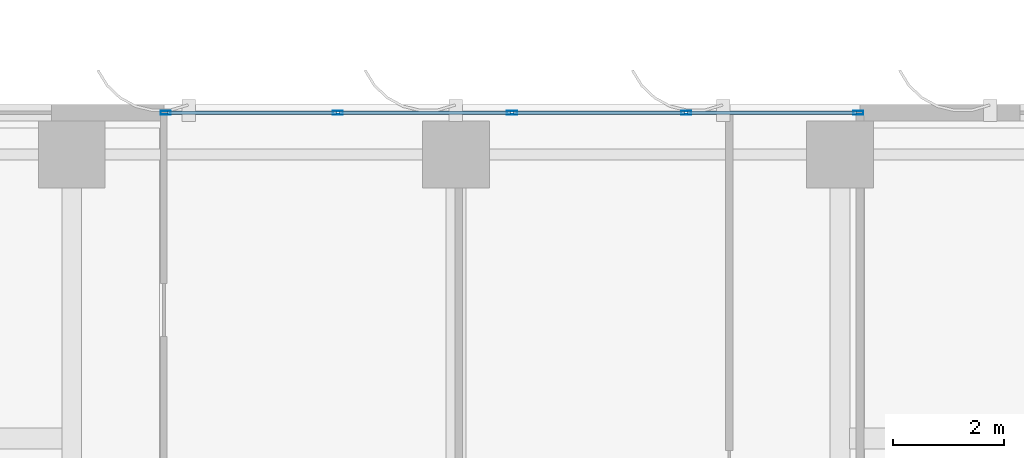
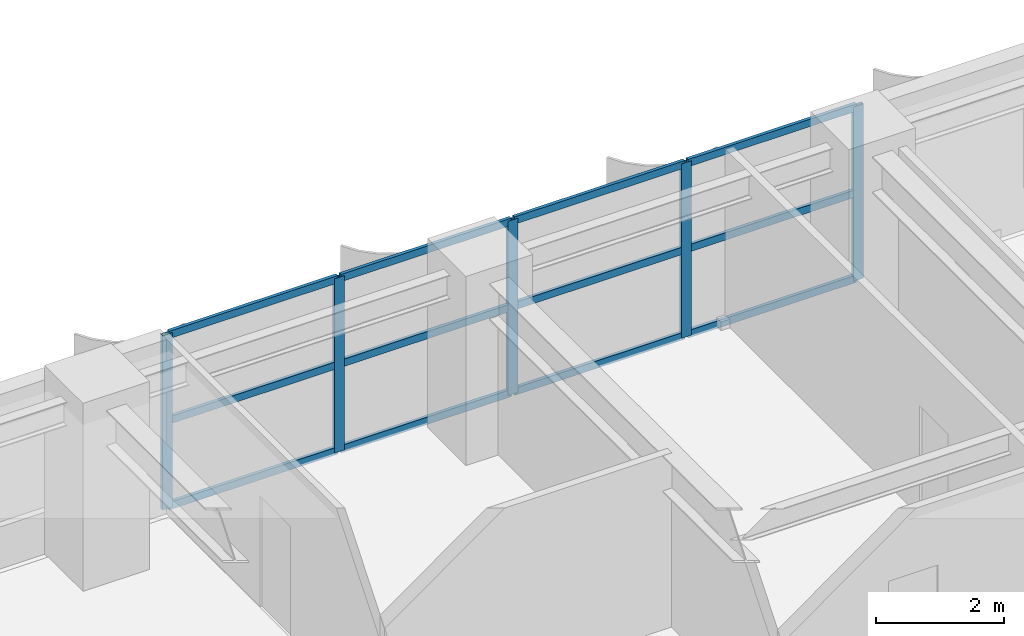
# One storey, part 11 of 23: 17 members, 1 element without a shape of its own.
"""IFC4 building model written with IfcOpenShell, lengths in metres."""

import ifcopenshell
import ifcopenshell.guid

model = None  # the IFC model being written
_history = None  # IfcOwnerHistory: only IFC2X3 demands one
_inside = {}  # id of a spatial element -> (the spatial element, [elements in it])
_under = {}  # id of a project, library or spatial element -> (it, [spatial elements below it])
_declared = {}  # id of a project -> (the project, [libraries it declares])
_typed = {}  # id of a type object -> (the type object, [elements of that type])
_made_of = {}  # id of a material, layer set ... -> (it, [elements and type objects made of it])


def new_model(schema):
    """Start an empty IFC model of exactly this schema.

    Asked for "IFC4X3", IfcOpenShell would pick the latest addendum, in which some entities
    have other attributes; the version numbers below select the first issue.
    IFC2X3 requires an IfcOwnerHistory on every rooted entity: one is made here for all.
    """
    global model, _history
    if schema == "IFC4X3":
        model = ifcopenshell.file(schema_version=(4, 3, 0, 0))
    else:
        model = ifcopenshell.file(schema=schema)
    _inside.clear()
    _under.clear()
    _declared.clear()
    _typed.clear()
    _made_of.clear()
    _history = None
    if model.schema == "IFC2X3":
        org = make("IfcOrganization", Name="unknown")
        user = make(
            "IfcPersonAndOrganization",
            ThePerson=make("IfcPerson", FamilyName="unknown"),
            TheOrganization=org,
        )
        app = make(
            "IfcApplication",
            ApplicationDeveloper=org,
            Version="unknown",
            ApplicationFullName="unknown",
            ApplicationIdentifier="unknown",
        )
        _history = make(
            "IfcOwnerHistory",
            OwningUser=user,
            OwningApplication=app,
            ChangeAction="ADDED",
            CreationDate=0,
        )
    return model


def make(cls, **values):
    """One entity of the class cls with the attributes given. An attribute that is None is left unset."""
    return model.create_entity(
        cls, **{name: value for name, value in values.items() if value is not None}
    )


def rooted(cls, **values):
    """An entity with a GlobalId (a new one), such as an element, a storey or a relation."""
    return make(cls, GlobalId=ifcopenshell.guid.new(), OwnerHistory=_history, **values)


def si_unit(unit_type, name, prefix=None):
    """IfcSIUnit, for example si_unit("LENGTHUNIT", "METRE", prefix="MILLI")."""
    return make("IfcSIUnit", UnitType=unit_type, Prefix=prefix, Name=name)


def assignment(units):
    """IfcUnitAssignment: the units of a project."""
    return None if units is None else make("IfcUnitAssignment", Units=units)


def point(xyz):
    """IfcCartesianPoint."""
    return None if xyz is None else make("IfcCartesianPoint", Coordinates=xyz)


def direction(xyz):
    """IfcDirection."""
    return None if xyz is None else make("IfcDirection", DirectionRatios=xyz)


def frame(location, z_axis=None, x_axis=None):
    """IfcAxis2Placement3D, a coordinate frame: its origin and axes. An axis left out is left unset."""
    return make(
        "IfcAxis2Placement3D",
        Location=point(location),
        Axis=direction(z_axis),
        RefDirection=direction(x_axis),
    )


def frame_2d(location, x_axis=None):
    """IfcAxis2Placement2D, a coordinate frame in the plane: its origin and x axis."""
    return make(
        "IfcAxis2Placement2D", Location=point(location), RefDirection=direction(x_axis)
    )


def origin():
    """The frame at (0, 0, 0) with its axes left unset."""
    return frame((0.0, 0.0, 0.0))


def origin_2d():
    """The frame at (0, 0) in the plane with its x axis left unset."""
    return frame_2d((0.0, 0.0))


def place(relative_to, where):
    """IfcLocalPlacement: puts the frame where relative to a parent placement (None: the world)."""
    return make(
        "IfcLocalPlacement", PlacementRelTo=relative_to, RelativePlacement=where
    )


def context(
    kind, dimensions, precision=None, world=None, true_north=None, identifier=None
):
    """IfcGeometricRepresentationContext, for example the 3D "Model" context."""
    return make(
        "IfcGeometricRepresentationContext",
        ContextIdentifier=identifier,
        ContextType=kind,
        CoordinateSpaceDimension=dimensions,
        Precision=precision,
        WorldCoordinateSystem=world,
        TrueNorth=true_north,
    )


def subcontext(parent, identifier, kind, view, scale=None):
    """IfcGeometricRepresentationSubContext, for example "Body" below "Model"."""
    return make(
        "IfcGeometricRepresentationSubContext",
        ContextIdentifier=identifier,
        ContextType=kind,
        ParentContext=parent,
        TargetScale=scale,
        TargetView=view,
    )


def project(units=None, contexts=None):
    """IfcProject with its units and contexts."""
    return rooted(
        "IfcProject",
        Name="project",
        RepresentationContexts=contexts,
        UnitsInContext=assignment(units),
    )


def spatial(cls, under=None, at=None, **own):
    """A site, building, storey or space (cls), placed at a placement, below another one or the project."""
    s = rooted(cls, ObjectPlacement=at, **own)
    if under is not None:
        _under.setdefault(under.id(), (under, []))[1].append(s)
    return s


def profile(cls, at=None, kind="AREA", **sizes):
    """A parametric profile (cls). Its sizes go by their IFC names, for example OverallWidth=200.0."""
    return make(cls, ProfileType=kind, Position=at, **sizes)


def hollow_rectangle(**sizes):
    """IfcRectangleHollowProfileDef."""
    return profile("IfcRectangleHollowProfileDef", **sizes)


def extrude(swept, where, along, depth):
    """IfcExtrudedAreaSolid: the profile swept, set in the frame where, extruded along a direction by depth."""
    return make(
        "IfcExtrudedAreaSolid",
        SweptArea=swept,
        Position=where,
        ExtrudedDirection=direction(along),
        Depth=depth,
    )


def shape(context_of_items, identifier, shape_type, items):
    """IfcShapeRepresentation: the items that make up one representation, for example the "Body"."""
    return make(
        "IfcShapeRepresentation",
        ContextOfItems=context_of_items,
        RepresentationIdentifier=identifier,
        RepresentationType=shape_type,
        Items=items,
    )


def source(mapping_origin, context_of_items, identifier, shape_type, items):
    """IfcRepresentationMap: a shape defined once, which mapped items show again and again."""
    return make(
        "IfcRepresentationMap",
        MappingOrigin=mapping_origin,
        MappedRepresentation=shape(context_of_items, identifier, shape_type, items),
    )


def transform(
    local_origin,
    x_axis=None,
    y_axis=None,
    z_axis=None,
    scale=None,
    scale2=None,
    scale3=None,
    uniform=True,
):
    """IfcCartesianTransformationOperator3D, or its non-uniform kind. x_axis, y_axis, z_axis: its Axis1, 2, 3."""
    if uniform:
        return make(
            "IfcCartesianTransformationOperator3D",
            Axis1=direction(x_axis),
            Axis2=direction(y_axis),
            LocalOrigin=point(local_origin),
            Scale=scale,
            Axis3=direction(z_axis),
        )
    return make(
        "IfcCartesianTransformationOperator3DnonUniform",
        Axis1=direction(x_axis),
        Axis2=direction(y_axis),
        LocalOrigin=point(local_origin),
        Scale=scale,
        Axis3=direction(z_axis),
        Scale2=scale2,
        Scale3=scale3,
    )


def mapped(mapping_source, mapping_target):
    """IfcMappedItem: shows the shape of a source again, moved by a transform."""
    return make(
        "IfcMappedItem", MappingSource=mapping_source, MappingTarget=mapping_target
    )


def material(Name=None, Category=None):
    """IfcMaterial."""
    return make("IfcMaterial", Name=Name, Category=Category)


def layer(
    of_material, thickness, ventilated=None, Name=None, Category=None, Priority=None
):
    """IfcMaterialLayer: one layer of a wall or slab, of a material (None: an air gap)."""
    return make(
        "IfcMaterialLayer",
        Material=of_material,
        LayerThickness=thickness,
        IsVentilated=ventilated,
        Name=Name,
        Category=Category,
        Priority=Priority,
    )


def layer_set(layers, Name=None):
    """IfcMaterialLayerSet."""
    return make("IfcMaterialLayerSet", MaterialLayers=layers, LayerSetName=Name)


def material_profile(
    of_material, cross_section, Name=None, Category=None, Priority=None
):
    """IfcMaterialProfile: a cross section and its material."""
    return make(
        "IfcMaterialProfile",
        Name=Name,
        Material=of_material,
        Profile=cross_section,
        Priority=Priority,
        Category=Category,
    )


def profile_set(profiles, Name=None, composite=None):
    """IfcMaterialProfileSet."""
    return make(
        "IfcMaterialProfileSet",
        Name=Name,
        MaterialProfiles=profiles,
        CompositeProfile=composite,
    )


def made_of(thing, what):
    """Note that an element or type object is made of a material, layer set ...; save() writes the relation."""
    if what is not None:
        _made_of.setdefault(what.id(), (what, []))[1].append(thing)
    return thing


def type_object(cls, material=None, **own):
    """A type object (cls), such as IfcWallType, which elements share."""
    return made_of(rooted(cls, **own), material)


def element(
    cls,
    number,
    at=None,
    inside=None,
    cuts=None,
    type_object=None,
    material=None,
    context=None,
    identifier="Body",
    shape_type=None,
    held_by="IfcProductDefinitionShape",
    body=None,
    shapes=None,
    **own,
):
    """One element of the class cls, such as IfcWall. Its Tag is "e" and its number.

    at: its placement. inside: the storey or other place that contains it. cuts: it is an
    opening in that element (IfcRelVoidsElement). A single representation is given by context,
    identifier, shape_type and body (its items); several are given by shapes. held_by: the class
    of the entity that holds the representations. save() writes the other relations.
    """
    e = rooted(cls, Tag="e%d" % number, ObjectPlacement=at, **own)
    if body is not None:
        shapes = [shape(context, identifier, shape_type, body)]
    if shapes is not None:
        e.Representation = make(held_by, Representations=shapes)
    if inside is not None:
        _inside.setdefault(inside.id(), (inside, []))[1].append(e)
    if cuts is not None:
        rooted(
            "IfcRelVoidsElement", RelatingBuildingElement=cuts, RelatedOpeningElement=e
        )
    if type_object is not None:
        _typed.setdefault(type_object.id(), (type_object, []))[1].append(e)
    return made_of(e, material)


def aggregate(whole, parts):
    """IfcRelAggregates: a whole, such as a stair, and the parts it consists of."""
    return rooted("IfcRelAggregates", RelatingObject=whole, RelatedObjects=parts)


def save(model, path):
    """Write the relations noted so far, then the file.

    IfcRelAggregates (storeys below a building ...), IfcRelContainedInSpatialStructure (elements
    in a storey), IfcRelDefinesByType, IfcRelAssociatesMaterial and IfcRelDeclares: one each for
    every whole, place, type object, material and project.
    """
    for whole, parts in _under.values():
        aggregate(whole, parts)
    for where, things in _inside.values():
        rooted(
            "IfcRelContainedInSpatialStructure",
            RelatedElements=things,
            RelatingStructure=where,
        )
    for kind, things in _typed.values():
        rooted("IfcRelDefinesByType", RelatedObjects=things, RelatingType=kind)
    for what, things in _made_of.values():
        rooted("IfcRelAssociatesMaterial", RelatedObjects=things, RelatingMaterial=what)
    for by, libraries in _declared.values():
        rooted("IfcRelDeclares", RelatingContext=by, RelatedDefinitions=libraries)
    model.write(path)


model = new_model("IFC4")

# Units and contexts
model_context = context("Model", 3, precision=1e-05, world=origin(), true_north=direction((0.0, 1.0)))
body_context = subcontext(model_context, "Body", "Model", "MODEL_VIEW")
ifc_project = project(units=[si_unit("LENGTHUNIT", "METRE"), si_unit("AREAUNIT", "SQUARE_METRE"), si_unit("VOLUMEUNIT", "CUBIC_METRE"), si_unit("PLANEANGLEUNIT", "RADIAN"), si_unit("MASSUNIT", "GRAM", prefix="KILO")], contexts=[model_context])

# Site, building, storey
site_placement = place(None, origin())
site = spatial("IfcSite", under=ifc_project, at=site_placement, CompositionType="ELEMENT")
building_placement = place(site_placement, origin())
building = spatial("IfcBuilding", under=site, at=building_placement, Name="Khoralis Quay Care Tower", CompositionType="ELEMENT")
storey_placement = place(building_placement, frame((0.0, 0.0, 33.300048828125)))
storey = spatial("IfcBuildingStorey", under=building, at=storey_placement, Name="L08", CompositionType="ELEMENT", Elevation=33.300048828125)

# Curtain wall, members
ifc_material = material(Name="Pale anodised aluminium", Category="aluminium")
ifc_layer = layer(ifc_material, 0.179931640625)
ifc_layer_set = layer_set([ifc_layer], Name="Pale anodised aluminium")
curtain_wall_type = type_object("IfcCurtainWallType", Name="CW-SYS-Z1", PredefinedType="NOTDEFINED", material=ifc_layer_set)
curtain_wall_placement = place(storey_placement, origin())
curtain_wall = element("IfcCurtainWall", 1, at=curtain_wall_placement, inside=storey, type_object=curtain_wall_type, Name="L08 Unitised Curtain Wall CW-L08-P1-E10", PredefinedType="NOTDEFINED")
ifc_material_profile_1 = material_profile(ifc_material, hollow_rectangle(XDim=0.06494140625, YDim=0.179931640625, WallThickness=0.00390625, at=origin_2d()), Name="Pale anodised aluminium")
ifc_profile_set_1 = profile_set([ifc_material_profile_1], Name="Pale anodised aluminium")
member_type_1 = type_object("IfcMemberType", Name="CW-MUL-180", PredefinedType="MULLION", material=ifc_profile_set_1)
shared_shape_1 = source(origin(), body_context, "Body", "SweptSolid", [
    extrude(hollow_rectangle(XDim=0.06494140625, YDim=0.179931640625, WallThickness=0.00390625, at=origin_2d()), origin(), (0.0, 0.0, 1.0), 3.320068359375),
])
member_1_placement = place(storey_placement, frame((31.22998046875, 47.85009765625, 0.0), z_axis=(0.0, 0.0, 1.0), x_axis=(0.0, -1.0, 0.0)))
member_1 = element("IfcMember", 2, at=member_1_placement, type_object=member_type_1, Name="CW1 mullion 1", PredefinedType="MULLION", context=body_context, shape_type="MappedRepresentation", body=[
    mapped(shared_shape_1, transform((0.0, 0.0, 0.0), scale=1.0)),
])
member_2_placement = place(storey_placement, frame((28.134033203125, 47.85009765625, 0.0), z_axis=(0.0, 0.0, 1.0), x_axis=(0.0, -1.0, 0.0)))
member_2 = element("IfcMember", 3, at=member_2_placement, type_object=member_type_1, Name="CW1 mullion 2", PredefinedType="MULLION", context=body_context, shape_type="MappedRepresentation", body=[
    mapped(shared_shape_1, transform((0.0, 0.0, 0.0), scale=1.0)),
])
member_3_placement = place(storey_placement, frame((25.008056640625, 47.85009765625, 0.0), z_axis=(0.0, 0.0, 1.0), x_axis=(0.0, -1.0, 0.0)))
member_3 = element("IfcMember", 4, at=member_3_placement, type_object=member_type_1, Name="CW1 mullion 3", PredefinedType="MULLION", context=body_context, shape_type="MappedRepresentation", body=[
    mapped(shared_shape_1, transform((0.0, 0.0, 0.0), scale=1.0)),
])
member_4_placement = place(storey_placement, frame((21.882080078125, 47.85009765625, 0.0), z_axis=(0.0, 0.0, 1.0), x_axis=(0.0, -1.0, 0.0)))
member_4 = element("IfcMember", 5, at=member_4_placement, type_object=member_type_1, Name="CW1 mullion 4", PredefinedType="MULLION", context=body_context, shape_type="MappedRepresentation", body=[
    mapped(shared_shape_1, transform((0.0, 0.0, 0.0), scale=1.0)),
])
member_5_placement = place(storey_placement, frame((18.785888671875, 47.85009765625, 0.0), z_axis=(0.0, 0.0, 1.0), x_axis=(0.0, -1.0, 0.0)))
member_5 = element("IfcMember", 6, at=member_5_placement, type_object=member_type_1, Name="CW1 mullion 5", PredefinedType="MULLION", context=body_context, shape_type="MappedRepresentation", body=[
    mapped(shared_shape_1, transform((0.0, 0.0, 0.0), scale=1.0)),
])
ifc_material_profile_2 = material_profile(ifc_material, hollow_rectangle(XDim=0.06005859375, YDim=0.139892578125, WallThickness=0.00390625, at=origin_2d()), Name="Pale anodised aluminium")
ifc_profile_set_2 = profile_set([ifc_material_profile_2], Name="Pale anodised aluminium")
member_type_2 = type_object("IfcMemberType", Name="CW-TRN-140", PredefinedType="USERDEFINED", material=ifc_profile_set_2)
shared_shape_2 = source(origin(), body_context, "Body", "SweptSolid", [
    extrude(hollow_rectangle(XDim=0.06005859375, YDim=0.139892578125, WallThickness=0.00390625, at=origin_2d()), origin(), (0.0, 0.0, 1.0), 3.035888671875),
])
member_6_placement = place(storey_placement, frame((31.199951171875, 47.85009765625, 0.030029296875), z_axis=(-1.0, 0.0, 0.0), x_axis=(0.0, -1.0, 0.0)))
member_6 = element("IfcMember", 7, at=member_6_placement, type_object=member_type_2, Name="CW1 transom 1.1", ObjectType="TRANSOM", PredefinedType="USERDEFINED", context=body_context, shape_type="MappedRepresentation", body=[
    mapped(shared_shape_2, transform((0.0, 0.0, 0.0), scale=1.0)),
])
member_7_placement = place(storey_placement, frame((31.199951171875, 47.85009765625, 1.659912109375), z_axis=(-1.0, 0.0, 0.0), x_axis=(0.0, -1.0, 0.0)))
member_7 = element("IfcMember", 8, at=member_7_placement, type_object=member_type_2, Name="CW1 transom 1.2", ObjectType="TRANSOM", PredefinedType="USERDEFINED", context=body_context, shape_type="MappedRepresentation", body=[
    mapped(shared_shape_2, transform((0.0, 0.0, 0.0), scale=1.0)),
])
member_8_placement = place(storey_placement, frame((31.199951171875, 47.85009765625, 3.2900390625), z_axis=(-1.0, 0.0, 0.0), x_axis=(0.0, -1.0, 0.0)))
member_8 = element("IfcMember", 9, at=member_8_placement, type_object=member_type_2, Name="CW1 transom 1.3", ObjectType="TRANSOM", PredefinedType="USERDEFINED", context=body_context, shape_type="MappedRepresentation", body=[
    mapped(shared_shape_2, transform((0.0, 0.0, 0.0), scale=1.0)),
])
shared_shape_3 = source(origin(), body_context, "Body", "SweptSolid", [
    extrude(hollow_rectangle(XDim=0.06005859375, YDim=0.139892578125, WallThickness=0.00390625, at=origin_2d()), origin(), (0.0, 0.0, 1.0), 3.06591796875),
])
member_9_placement = place(storey_placement, frame((28.10400390625, 47.85009765625, 0.030029296875), z_axis=(-1.0, 0.0, 0.0), x_axis=(0.0, -1.0, 0.0)))
member_9 = element("IfcMember", 10, at=member_9_placement, type_object=member_type_2, Name="CW1 transom 2.1", ObjectType="TRANSOM", PredefinedType="USERDEFINED", context=body_context, shape_type="MappedRepresentation", body=[
    mapped(shared_shape_3, transform((0.0, 0.0, 0.0), scale=1.0)),
])
member_10_placement = place(storey_placement, frame((28.10400390625, 47.85009765625, 1.659912109375), z_axis=(-1.0, 0.0, 0.0), x_axis=(0.0, -1.0, 0.0)))
member_10 = element("IfcMember", 11, at=member_10_placement, type_object=member_type_2, Name="CW1 transom 2.2", ObjectType="TRANSOM", PredefinedType="USERDEFINED", context=body_context, shape_type="MappedRepresentation", body=[
    mapped(shared_shape_3, transform((0.0, 0.0, 0.0), scale=1.0)),
])
member_11_placement = place(storey_placement, frame((28.10400390625, 47.85009765625, 3.2900390625), z_axis=(-1.0, 0.0, 0.0), x_axis=(0.0, -1.0, 0.0)))
member_11 = element("IfcMember", 12, at=member_11_placement, type_object=member_type_2, Name="CW1 transom 2.3", ObjectType="TRANSOM", PredefinedType="USERDEFINED", context=body_context, shape_type="MappedRepresentation", body=[
    mapped(shared_shape_3, transform((0.0, 0.0, 0.0), scale=1.0)),
])
member_12_placement = place(storey_placement, frame((24.97802734375, 47.85009765625, 0.030029296875), z_axis=(-1.0, 0.0, 0.0), x_axis=(0.0, -1.0, 0.0)))
member_12 = element("IfcMember", 13, at=member_12_placement, type_object=member_type_2, Name="CW1 transom 3.1", ObjectType="TRANSOM", PredefinedType="USERDEFINED", context=body_context, shape_type="MappedRepresentation", body=[
    mapped(shared_shape_3, transform((0.0, 0.0, 0.0), scale=1.0)),
])
member_13_placement = place(storey_placement, frame((24.97802734375, 47.85009765625, 1.659912109375), z_axis=(-1.0, 0.0, 0.0), x_axis=(0.0, -1.0, 0.0)))
member_13 = element("IfcMember", 14, at=member_13_placement, type_object=member_type_2, Name="CW1 transom 3.2", ObjectType="TRANSOM", PredefinedType="USERDEFINED", context=body_context, shape_type="MappedRepresentation", body=[
    mapped(shared_shape_3, transform((0.0, 0.0, 0.0), scale=1.0)),
])
member_14_placement = place(storey_placement, frame((24.97802734375, 47.85009765625, 3.2900390625), z_axis=(-1.0, 0.0, 0.0), x_axis=(0.0, -1.0, 0.0)))
member_14 = element("IfcMember", 15, at=member_14_placement, type_object=member_type_2, Name="CW1 transom 3.3", ObjectType="TRANSOM", PredefinedType="USERDEFINED", context=body_context, shape_type="MappedRepresentation", body=[
    mapped(shared_shape_3, transform((0.0, 0.0, 0.0), scale=1.0)),
])
shared_shape_4 = source(origin(), body_context, "Body", "SweptSolid", [
    extrude(hollow_rectangle(XDim=0.06005859375, YDim=0.139892578125, WallThickness=0.00390625, at=origin_2d()), origin(), (0.0, 0.0, 1.0), 3.0361328125),
])
member_15_placement = place(storey_placement, frame((21.85205078125, 47.85009765625, 0.030029296875), z_axis=(-1.0, 0.0, 0.0), x_axis=(0.0, -1.0, 0.0)))
member_15 = element("IfcMember", 16, at=member_15_placement, type_object=member_type_2, Name="CW1 transom 4.1", ObjectType="TRANSOM", PredefinedType="USERDEFINED", context=body_context, shape_type="MappedRepresentation", body=[
    mapped(shared_shape_4, transform((0.0, 0.0, 0.0), scale=1.0)),
])
member_16_placement = place(storey_placement, frame((21.85205078125, 47.85009765625, 1.659912109375), z_axis=(-1.0, 0.0, 0.0), x_axis=(0.0, -1.0, 0.0)))
member_16 = element("IfcMember", 17, at=member_16_placement, type_object=member_type_2, Name="CW1 transom 4.2", ObjectType="TRANSOM", PredefinedType="USERDEFINED", context=body_context, shape_type="MappedRepresentation", body=[
    mapped(shared_shape_4, transform((0.0, 0.0, 0.0), scale=1.0)),
])
member_17_placement = place(storey_placement, frame((21.85205078125, 47.85009765625, 3.2900390625), z_axis=(-1.0, 0.0, 0.0), x_axis=(0.0, -1.0, 0.0)))
member_17 = element("IfcMember", 18, at=member_17_placement, type_object=member_type_2, Name="CW1 transom 4.3", ObjectType="TRANSOM", PredefinedType="USERDEFINED", context=body_context, shape_type="MappedRepresentation", body=[
    mapped(shared_shape_4, transform((0.0, 0.0, 0.0), scale=1.0)),
])
aggregate(curtain_wall, [member_1, member_2, member_3, member_4, member_5, member_6, member_7, member_8, member_9, member_10, member_11, member_12, member_13, member_14, member_15, member_16, member_17])

save(model, "model.ifc")
